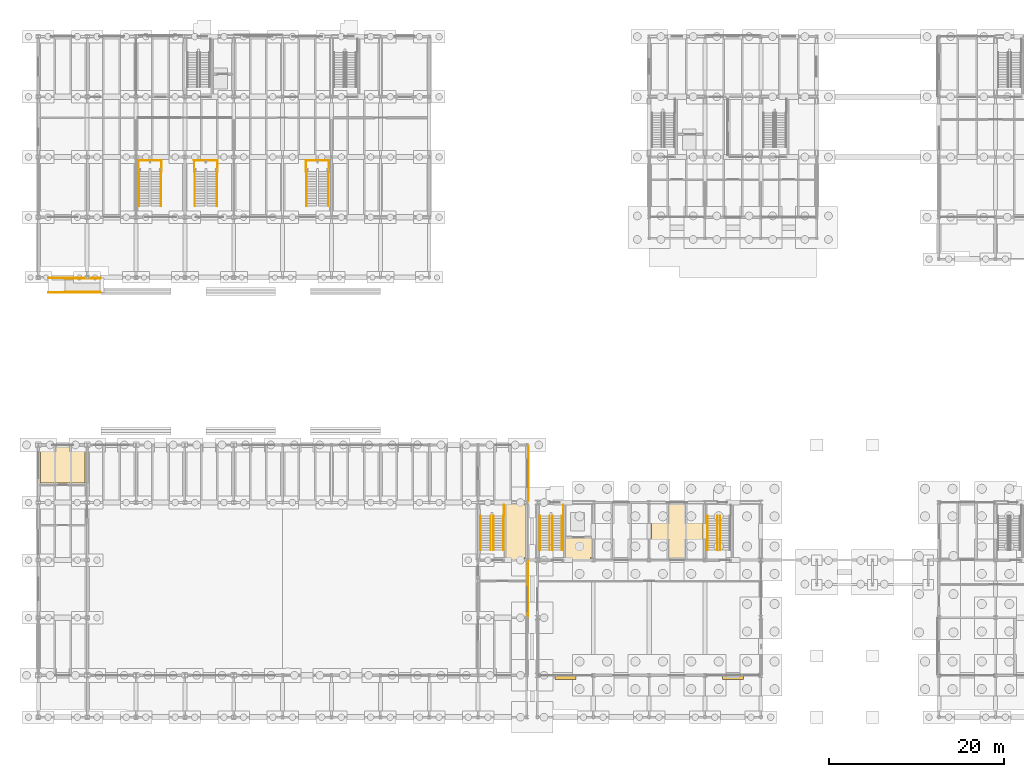
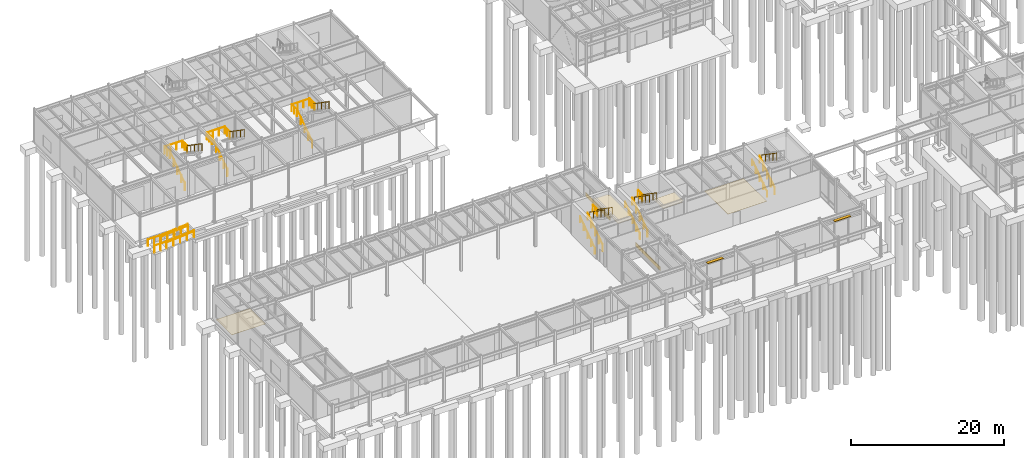
# One storey, part 78 of 82: 32 railings, 6 coverings, 2 shading devices.
"""IFC4 building model written with IfcOpenShell, lengths in metres."""

from ifc_helpers import new_model, si_unit, direction, frame, origin, origin_2d, place, context, subcontext, project, spatial, polyline, rectangle, circle, outline, extrude, material, layer, layer_set, type_object, element, save


model = new_model("IFC4")

# Units and contexts
model_context = context("Model", 3, precision=1e-05, world=origin(), true_north=direction((0.0, 1.0)))
body_context = subcontext(model_context, "Body", "Model", "MODEL_VIEW")
ifc_project = project(units=[si_unit("LENGTHUNIT", "METRE"), si_unit("AREAUNIT", "SQUARE_METRE"), si_unit("VOLUMEUNIT", "CUBIC_METRE"), si_unit("PLANEANGLEUNIT", "RADIAN"), si_unit("MASSUNIT", "GRAM", prefix="KILO")], contexts=[model_context])

# Site, building, storey
site_placement = place(None, origin())
site = spatial("IfcSite", under=ifc_project, at=site_placement, CompositionType="ELEMENT")
building_placement = place(site_placement, origin())
building = spatial("IfcBuilding", under=site, at=building_placement, Name="Trelmorton Wharf Fire Station", CompositionType="ELEMENT")
storey_placement = place(building_placement, origin())
storey = spatial("IfcBuildingStorey", under=building, at=storey_placement, Name="L00", CompositionType="ELEMENT", Elevation=0.0)

# Coverings
ifc_material_1 = material(Name="Mineral fibre acoustic ceiling")
ifc_layer_1 = layer(ifc_material_1, 0.02001953125)
ifc_layer_set_1 = layer_set([ifc_layer_1], Name="Mineral fibre acoustic ceiling")
covering_type_1 = type_object("IfcCoveringType", Name="CV_CEIL_ACOU", PredefinedType="CEILING", material=ifc_layer_set_1)
covering_1_placement = place(storey_placement, frame((0.0, 0.0, 4.47998046875)))
element("IfcCovering", 1, at=covering_1_placement, inside=storey, type_object=covering_type_1, Name="CV-CLG-001", PredefinedType="CEILING", context=body_context, shape_type="SweptSolid", body=[
    extrude(outline(polyline([(54.360107421875, 27.56005859375), (56.5, 27.56005859375), (56.5, 27.300048828125), (56.760009765625, 27.300048828125), (56.760009765625, 21.300048828125), (56.5, 21.300048828125), (56.5, 21.0400390625), (54.360107421875, 21.0400390625), (54.360107421875, 27.56005859375)])), origin(), (0.0, 0.0, 1.0), 0.02001953125),
])
covering_2_placement = place(storey_placement, frame((0.0, 0.0, 4.47998046875)))
element("IfcCovering", 2, at=covering_2_placement, inside=storey, type_object=covering_type_1, Name="CV-CLG-003", PredefinedType="CEILING", context=body_context, shape_type="SweptSolid", body=[
    extrude(outline(polyline([(61.159912109375, 21.0400390625), (61.159912109375, 23.56005859375), (64.360107421875, 23.56005859375), (64.360107421875, 21.300048828125), (64.10009765625, 21.300048828125), (64.10009765625, 21.0400390625), (61.159912109375, 21.0400390625)])), origin(), (0.0, 0.0, 1.0), 0.02001953125),
])
ifc_material_2 = material(Name="Architectural terracotta cladding", Category="masonry")
ifc_layer_2 = layer(ifc_material_2, 0.044921875)
ifc_layer_set_2 = layer_set([ifc_layer_2], Name="Architectural terracotta cladding")
covering_type_2 = type_object("IfcCoveringType", Name="CV_CLAD_TER", PredefinedType="CLADDING", material=ifc_layer_set_2)
for number, where, z_axis, x_axis, name in (
    (3, (56.93505859375, 17.699951171875, 0.0302734375), (0.0, 0.0, 1.0), (0.0, -1.0, 0.0), "CV-TER-0001"),
    (4, (56.965087890625, 30.89990234375, 0.0302734375), (0.0, 0.0, 1.0), (0.0, -1.0, 0.0), "CV-TER-0002"),
):
    element("IfcCovering", number, at=place(storey_placement, frame(where, z_axis=z_axis, x_axis=x_axis)), inside=storey, type_object=covering_type_2, Name=name, PredefinedType="CLADDING", context=body_context, shape_type="SweptSolid", body=[
        extrude(rectangle(XDim=6.469970703125, YDim=0.044921875, at=origin_2d()), origin(), (0.0, 0.0, 1.0), 0.659912109375),
    ])
ifc_material_3 = material(Name="Quarry tile wet-area flooring")
ifc_layer_3 = layer(ifc_material_3, 0.02001953125)
ifc_layer_set_3 = layer_set([ifc_layer_3], Name="Quarry tile wet-area flooring")
covering_type_3 = type_object("IfcCoveringType", Name="CV_FLOR_TILE", PredefinedType="FLOORING", material=ifc_layer_set_3)
covering_3_placement = place(storey_placement, origin())
element("IfcCovering", 5, at=covering_3_placement, inside=storey, type_object=covering_type_3, Name="CV-FLR-001", PredefinedType="FLOORING", context=body_context, shape_type="SweptSolid", body=[
    extrude(outline(polyline([(6.14990234375, 29.85009765625), (6.14990234375, 33.949951171875), (1.050048828125, 33.949951171875), (1.050048828125, 29.85009765625), (6.14990234375, 29.85009765625)])), origin(), (0.0, 0.0, 1.0), 0.02001953125),
])
covering_4_placement = place(storey_placement, origin())
element("IfcCovering", 6, at=covering_4_placement, inside=storey, type_object=covering_type_3, Name="CV-FLR-003", PredefinedType="FLOORING", context=body_context, shape_type="SweptSolid", body=[
    extrude(outline(polyline([(76.949951171875, 21.25), (76.949951171875, 27.35009765625), (71.050048828125, 27.35009765625), (71.050048828125, 21.25), (76.949951171875, 21.25)])), origin(), (0.0, 0.0, 1.0), 0.02001953125),
])

# Railings
ifc_material_4 = material(Name="Stainless steel 316 marine grade", Category="steel")
railing_type_1 = type_object("IfcRailingType", Name="RL_HAND_900", PredefinedType="HANDRAIL", material=ifc_material_4)
for number, where, name in (
    (7, (51.510009765625, 22.139892578125, 0.0), "RL-HR1-STR-C1-L00-01"),
    (8, (58.31005859375, 22.139892578125, 0.0), "RL-HR1-STR-C2-L00-02"),
    (9, (77.510009765625, 22.139892578125, 0.0), "RL-HR1-STR-C2B-L00-05"),
):
    element("IfcRailing", number, at=place(storey_placement, frame(where)), inside=storey, type_object=railing_type_1, Name=name, PredefinedType="HANDRAIL", context=body_context, shape_type="SweptSolid", body=[
        extrude(circle(Radius=0.02099609375, at=origin_2d()), frame((0.0, 0.0, 0.87890625), z_axis=(0.0, 0.823567234665, 0.567218661528), x_axis=(-1.0, 0.0, 0.0)), (0.0, 0.0, 1.0), 4.760009765625),
        extrude(circle(Radius=0.02099609375, at=origin_2d()), origin(), (0.0, 0.0, 1.0), 0.85791015625),
        extrude(circle(Radius=0.02099609375, at=origin_2d()), frame((0.0, 0.97998046875, 0.675048828125)), (0.0, 0.0, 1.0), 0.85791015625),
        extrude(circle(Radius=0.02099609375, at=origin_2d()), frame((0.0, 1.9599609375, 1.35009765625)), (0.0, 0.0, 1.0), 0.85791015625),
        extrude(circle(Radius=0.02099609375, at=origin_2d()), frame((0.0, 2.940185546875, 2.02490234375)), (0.0, 0.0, 1.0), 0.85791015625),
        extrude(circle(Radius=0.02099609375, at=origin_2d()), frame((0.0, 3.920166015625, 2.699951171875)), (0.0, 0.0, 1.0), 0.85791015625),
    ])
for number, where, name in (
    (10, (3.860107421875, 51.75, -0.344970703125), "RL-RMP-B-517"),
    (11, (3.860107421875, 53.25, -0.344970703125), "RL-RMP-B-532"),
):
    element("IfcRailing", number, at=place(storey_placement, frame(where)), inside=storey, type_object=railing_type_1, Name=name, PredefinedType="HANDRAIL", context=body_context, shape_type="SweptSolid", body=[
        extrude(circle(Radius=0.02099609375, at=origin_2d()), frame((0.0, 0.0, 0.87890625), z_axis=(0.996537977967, 0.0, 0.083138790397), x_axis=(0.0, 1.0, 0.0)), (0.0, 0.0, 1.0), 4.114013671875),
        extrude(circle(Radius=0.02099609375, at=origin_2d()), origin(), (0.0, 0.0, 1.0), 0.85791015625),
        extrude(circle(Radius=0.02099609375, at=origin_2d()), frame((1.02490234375, 0.0, 0.08544921875)), (0.0, 0.0, 1.0), 0.85791015625),
        extrude(circle(Radius=0.02099609375, at=origin_2d()), frame((2.0498046875, 0.0, 0.1708984375)), (0.0, 0.0, 1.0), 0.85791015625),
        extrude(circle(Radius=0.02099609375, at=origin_2d()), frame((3.074951171875, 0.0, 0.256591796875)), (0.0, 0.0, 1.0), 0.85791015625),
        extrude(circle(Radius=0.02099609375, at=origin_2d()), frame((4.099853515625, 0.0, 0.342041015625)), (0.0, 0.0, 1.0), 0.85791015625),
    ])
railing_type_2 = type_object("IfcRailingType", Name="RL_WELL_1100", PredefinedType="BALUSTRADE", material=ifc_material_4)
railing_1_placement = place(storey_placement, frame((54.155029296875, 27.3349609375, 2.699951171875)))
element("IfcRailing", 12, at=railing_1_placement, inside=storey, type_object=railing_type_2, Name="RL-GW-OUT1-STR-C1-L00-01", PredefinedType="BALUSTRADE", context=body_context, shape_type="SweptSolid", body=[
    extrude(circle(Radius=0.02392578125, at=origin_2d()), frame((0.0, 0.0, 1.09619140625), z_axis=(0.0, -1.0, 0.0), x_axis=(1.0, 0.0, 0.0)), (0.0, 0.0, 1.0), 1.23486328125),
    extrude(circle(Radius=0.02099609375, at=origin_2d()), origin(), (0.0, 0.0, 1.0), 1.072021484375),
    extrude(circle(Radius=0.02099609375, at=origin_2d()), frame((0.0, -0.617431640625, 0.0)), (0.0, 0.0, 1.0), 1.072021484375),
    extrude(circle(Radius=0.02099609375, at=origin_2d()), frame((0.0, -1.23486328125, 0.0)), (0.0, 0.0, 1.0), 1.072021484375),
])
railing_2_placement = place(storey_placement, frame((54.090087890625, 26.06005859375, 2.699951171875)))
element("IfcRailing", 13, at=railing_2_placement, inside=storey, type_object=railing_type_2, Name="RL-GW-OUT2-STR-C1-L00-01", PredefinedType="BALUSTRADE", context=body_context, shape_type="SweptSolid", body=[
    extrude(circle(Radius=0.02392578125, at=origin_2d()), frame((0.0, 0.0, 1.09619140625), z_axis=(0.0, -0.823567234665, 0.567218661528), x_axis=(1.0, 0.0, 0.0)), (0.0, 0.0, 1.0), 4.760009765625),
    extrude(circle(Radius=0.02099609375, at=origin_2d()), origin(), (0.0, 0.0, 1.0), 1.072021484375),
    extrude(circle(Radius=0.02099609375, at=origin_2d()), frame((0.0, -0.97998046875, 0.675048828125)), (0.0, 0.0, 1.0), 1.072021484375),
    extrude(circle(Radius=0.02099609375, at=origin_2d()), frame((0.0, -1.9599609375, 1.35009765625)), (0.0, 0.0, 1.0), 1.072021484375),
    extrude(circle(Radius=0.02099609375, at=origin_2d()), frame((0.0, -2.940185546875, 2.02490234375)), (0.0, 0.0, 1.0), 1.072021484375),
    extrude(circle(Radius=0.02099609375, at=origin_2d()), frame((0.0, -3.920166015625, 2.699951171875)), (0.0, 0.0, 1.0), 1.072021484375),
])
railing_3_placement = place(storey_placement, frame((52.64990234375, 22.139892578125, 0.0)))
element("IfcRailing", 14, at=railing_3_placement, inside=storey, type_object=railing_type_2, Name="RL-GW-IN1-STR-C1-L00-01", PredefinedType="BALUSTRADE", context=body_context, shape_type="SweptSolid", body=[
    extrude(circle(Radius=0.02392578125, at=origin_2d()), frame((0.0, 0.0, 1.09619140625), z_axis=(0.0, 0.823567234665, 0.567218661528), x_axis=(-1.0, 0.0, 0.0)), (0.0, 0.0, 1.0), 4.760009765625),
    extrude(circle(Radius=0.02099609375, at=origin_2d()), origin(), (0.0, 0.0, 1.0), 1.072021484375),
    extrude(circle(Radius=0.02099609375, at=origin_2d()), frame((0.0, 0.97998046875, 0.675048828125)), (0.0, 0.0, 1.0), 1.072021484375),
    extrude(circle(Radius=0.02099609375, at=origin_2d()), frame((0.0, 1.9599609375, 1.35009765625)), (0.0, 0.0, 1.0), 1.072021484375),
    extrude(circle(Radius=0.02099609375, at=origin_2d()), frame((0.0, 2.940185546875, 2.02490234375)), (0.0, 0.0, 1.0), 1.072021484375),
    extrude(circle(Radius=0.02099609375, at=origin_2d()), frame((0.0, 3.920166015625, 2.699951171875)), (0.0, 0.0, 1.0), 1.072021484375),
])
railing_4_placement = place(storey_placement, frame((52.949951171875, 26.06005859375, 2.699951171875)))
element("IfcRailing", 15, at=railing_4_placement, inside=storey, type_object=railing_type_2, Name="RL-GW-IN2-STR-C1-L00-01", PredefinedType="BALUSTRADE", context=body_context, shape_type="SweptSolid", body=[
    extrude(circle(Radius=0.02392578125, at=origin_2d()), frame((0.0, 0.0, 1.09619140625), z_axis=(0.0, -0.823567234665, 0.567218661528), x_axis=(1.0, 0.0, 0.0)), (0.0, 0.0, 1.0), 4.760009765625),
    extrude(circle(Radius=0.02099609375, at=origin_2d()), origin(), (0.0, 0.0, 1.0), 1.072021484375),
    extrude(circle(Radius=0.02099609375, at=origin_2d()), frame((0.0, -0.97998046875, 0.675048828125)), (0.0, 0.0, 1.0), 1.072021484375),
    extrude(circle(Radius=0.02099609375, at=origin_2d()), frame((0.0, -1.9599609375, 1.35009765625)), (0.0, 0.0, 1.0), 1.072021484375),
    extrude(circle(Radius=0.02099609375, at=origin_2d()), frame((0.0, -2.940185546875, 2.02490234375)), (0.0, 0.0, 1.0), 1.072021484375),
    extrude(circle(Radius=0.02099609375, at=origin_2d()), frame((0.0, -3.920166015625, 2.699951171875)), (0.0, 0.0, 1.0), 1.072021484375),
])
railing_5_placement = place(storey_placement, frame((60.955078125, 27.3349609375, 2.699951171875)))
element("IfcRailing", 16, at=railing_5_placement, inside=storey, type_object=railing_type_2, Name="RL-GW-OUT1-STR-C2-L00-02", PredefinedType="BALUSTRADE", context=body_context, shape_type="SweptSolid", body=[
    extrude(circle(Radius=0.02392578125, at=origin_2d()), frame((0.0, 0.0, 1.09619140625), z_axis=(0.0, -1.0, 0.0), x_axis=(1.0, 0.0, 0.0)), (0.0, 0.0, 1.0), 1.23486328125),
    extrude(circle(Radius=0.02099609375, at=origin_2d()), origin(), (0.0, 0.0, 1.0), 1.072021484375),
    extrude(circle(Radius=0.02099609375, at=origin_2d()), frame((0.0, -0.617431640625, 0.0)), (0.0, 0.0, 1.0), 1.072021484375),
    extrude(circle(Radius=0.02099609375, at=origin_2d()), frame((0.0, -1.23486328125, 0.0)), (0.0, 0.0, 1.0), 1.072021484375),
])
railing_6_placement = place(storey_placement, frame((60.81005859375, 26.06005859375, 2.699951171875)))
element("IfcRailing", 17, at=railing_6_placement, inside=storey, type_object=railing_type_2, Name="RL-GW-OUT2-STR-C2-L00-02", PredefinedType="BALUSTRADE", context=body_context, shape_type="SweptSolid", body=[
    extrude(circle(Radius=0.02392578125, at=origin_2d()), frame((0.0, 0.0, 1.09619140625), z_axis=(0.0, -0.823567234665, 0.567218661528), x_axis=(1.0, 0.0, 0.0)), (0.0, 0.0, 1.0), 4.760009765625),
    extrude(circle(Radius=0.02099609375, at=origin_2d()), origin(), (0.0, 0.0, 1.0), 1.072021484375),
    extrude(circle(Radius=0.02099609375, at=origin_2d()), frame((0.0, -0.97998046875, 0.675048828125)), (0.0, 0.0, 1.0), 1.072021484375),
    extrude(circle(Radius=0.02099609375, at=origin_2d()), frame((0.0, -1.9599609375, 1.35009765625)), (0.0, 0.0, 1.0), 1.072021484375),
    extrude(circle(Radius=0.02099609375, at=origin_2d()), frame((0.0, -2.940185546875, 2.02490234375)), (0.0, 0.0, 1.0), 1.072021484375),
    extrude(circle(Radius=0.02099609375, at=origin_2d()), frame((0.0, -3.920166015625, 2.699951171875)), (0.0, 0.0, 1.0), 1.072021484375),
])
railing_7_placement = place(storey_placement, frame((59.409912109375, 22.139892578125, 0.0)))
element("IfcRailing", 18, at=railing_7_placement, inside=storey, type_object=railing_type_2, Name="RL-GW-IN1-STR-C2-L00-02", PredefinedType="BALUSTRADE", context=body_context, shape_type="SweptSolid", body=[
    extrude(circle(Radius=0.02392578125, at=origin_2d()), frame((0.0, 0.0, 1.09619140625), z_axis=(0.0, 0.823567234665, 0.567218661528), x_axis=(-1.0, 0.0, 0.0)), (0.0, 0.0, 1.0), 4.760009765625),
    extrude(circle(Radius=0.02099609375, at=origin_2d()), origin(), (0.0, 0.0, 1.0), 1.072021484375),
    extrude(circle(Radius=0.02099609375, at=origin_2d()), frame((0.0, 0.97998046875, 0.675048828125)), (0.0, 0.0, 1.0), 1.072021484375),
    extrude(circle(Radius=0.02099609375, at=origin_2d()), frame((0.0, 1.9599609375, 1.35009765625)), (0.0, 0.0, 1.0), 1.072021484375),
    extrude(circle(Radius=0.02099609375, at=origin_2d()), frame((0.0, 2.940185546875, 2.02490234375)), (0.0, 0.0, 1.0), 1.072021484375),
    extrude(circle(Radius=0.02099609375, at=origin_2d()), frame((0.0, 3.920166015625, 2.699951171875)), (0.0, 0.0, 1.0), 1.072021484375),
])
railing_8_placement = place(storey_placement, frame((59.7099609375, 26.06005859375, 2.699951171875)))
element("IfcRailing", 19, at=railing_8_placement, inside=storey, type_object=railing_type_2, Name="RL-GW-IN2-STR-C2-L00-02", PredefinedType="BALUSTRADE", context=body_context, shape_type="SweptSolid", body=[
    extrude(circle(Radius=0.02392578125, at=origin_2d()), frame((0.0, 0.0, 1.09619140625), z_axis=(0.0, -0.823567234665, 0.567218661528), x_axis=(1.0, 0.0, 0.0)), (0.0, 0.0, 1.0), 4.760009765625),
    extrude(circle(Radius=0.02099609375, at=origin_2d()), origin(), (0.0, 0.0, 1.0), 1.072021484375),
    extrude(circle(Radius=0.02099609375, at=origin_2d()), frame((0.0, -0.97998046875, 0.675048828125)), (0.0, 0.0, 1.0), 1.072021484375),
    extrude(circle(Radius=0.02099609375, at=origin_2d()), frame((0.0, -1.9599609375, 1.35009765625)), (0.0, 0.0, 1.0), 1.072021484375),
    extrude(circle(Radius=0.02099609375, at=origin_2d()), frame((0.0, -2.940185546875, 2.02490234375)), (0.0, 0.0, 1.0), 1.072021484375),
    extrude(circle(Radius=0.02099609375, at=origin_2d()), frame((0.0, -3.920166015625, 2.699951171875)), (0.0, 0.0, 1.0), 1.072021484375),
])
railing_9_placement = place(storey_placement, frame((78.64990234375, 22.139892578125, 0.0)))
element("IfcRailing", 20, at=railing_9_placement, inside=storey, type_object=railing_type_2, Name="RL-GW-IN1-STR-C2B-L00-05", PredefinedType="BALUSTRADE", context=body_context, shape_type="SweptSolid", body=[
    extrude(circle(Radius=0.02392578125, at=origin_2d()), frame((0.0, 0.0, 1.09619140625), z_axis=(0.0, 0.823567234665, 0.567218661528), x_axis=(-1.0, 0.0, 0.0)), (0.0, 0.0, 1.0), 4.760009765625),
    extrude(circle(Radius=0.02099609375, at=origin_2d()), origin(), (0.0, 0.0, 1.0), 1.072021484375),
    extrude(circle(Radius=0.02099609375, at=origin_2d()), frame((0.0, 0.97998046875, 0.675048828125)), (0.0, 0.0, 1.0), 1.072021484375),
    extrude(circle(Radius=0.02099609375, at=origin_2d()), frame((0.0, 1.9599609375, 1.35009765625)), (0.0, 0.0, 1.0), 1.072021484375),
    extrude(circle(Radius=0.02099609375, at=origin_2d()), frame((0.0, 2.940185546875, 2.02490234375)), (0.0, 0.0, 1.0), 1.072021484375),
    extrude(circle(Radius=0.02099609375, at=origin_2d()), frame((0.0, 3.920166015625, 2.699951171875)), (0.0, 0.0, 1.0), 1.072021484375),
])
railing_10_placement = place(storey_placement, frame((78.949951171875, 26.06005859375, 2.699951171875)))
element("IfcRailing", 21, at=railing_10_placement, inside=storey, type_object=railing_type_2, Name="RL-GW-IN2-STR-C2B-L00-05", PredefinedType="BALUSTRADE", context=body_context, shape_type="SweptSolid", body=[
    extrude(circle(Radius=0.02392578125, at=origin_2d()), frame((0.0, 0.0, 1.09619140625), z_axis=(0.0, -0.823567234665, 0.567218661528), x_axis=(1.0, 0.0, 0.0)), (0.0, 0.0, 1.0), 4.760009765625),
    extrude(circle(Radius=0.02099609375, at=origin_2d()), origin(), (0.0, 0.0, 1.0), 1.072021484375),
    extrude(circle(Radius=0.02099609375, at=origin_2d()), frame((0.0, -0.97998046875, 0.675048828125)), (0.0, 0.0, 1.0), 1.072021484375),
    extrude(circle(Radius=0.02099609375, at=origin_2d()), frame((0.0, -1.9599609375, 1.35009765625)), (0.0, 0.0, 1.0), 1.072021484375),
    extrude(circle(Radius=0.02099609375, at=origin_2d()), frame((0.0, -2.940185546875, 2.02490234375)), (0.0, 0.0, 1.0), 1.072021484375),
    extrude(circle(Radius=0.02099609375, at=origin_2d()), frame((0.0, -3.920166015625, 2.699951171875)), (0.0, 0.0, 1.0), 1.072021484375),
])
railing_11_placement = place(storey_placement, frame((12.330078125, 61.60009765625, 0.0)))
element("IfcRailing", 22, at=railing_11_placement, inside=storey, type_object=railing_type_2, Name="RL-STS-01-F1", PredefinedType="BALUSTRADE", context=body_context, shape_type="SweptSolid", body=[
    extrude(circle(Radius=0.02392578125, at=origin_2d()), frame((0.0, 0.0, 1.09619140625), z_axis=(0.0, 0.823550731654, 0.567242622158), x_axis=(-1.0, 0.0, 0.0)), (0.0, 0.0, 1.0), 4.759765625),
    extrude(circle(Radius=0.02099609375, at=origin_2d()), origin(), (0.0, 0.0, 1.0), 1.072021484375),
    extrude(circle(Radius=0.02099609375, at=origin_2d()), frame((0.0, 0.97998046875, 0.675048828125)), (0.0, 0.0, 1.0), 1.072021484375),
    extrude(circle(Radius=0.02099609375, at=origin_2d()), frame((0.0, 1.9599609375, 1.35009765625)), (0.0, 0.0, 1.0), 1.072021484375),
    extrude(circle(Radius=0.02099609375, at=origin_2d()), frame((0.0, 2.93994140625, 2.02490234375)), (0.0, 0.0, 1.0), 1.072021484375),
    extrude(circle(Radius=0.02099609375, at=origin_2d()), frame((0.0, 3.919921875, 2.699951171875)), (0.0, 0.0, 1.0), 1.072021484375),
])
railing_12_placement = place(storey_placement, frame((14.8701171875, 65.52001953125, 2.699951171875)))
element("IfcRailing", 23, at=railing_12_placement, inside=storey, type_object=railing_type_2, Name="RL-STS-01-F2", PredefinedType="BALUSTRADE", context=body_context, shape_type="SweptSolid", body=[
    extrude(circle(Radius=0.02392578125, at=origin_2d()), frame((0.0, 0.0, 1.09619140625), z_axis=(0.0, -0.823550731654, 0.567242622158), x_axis=(1.0, 0.0, 0.0)), (0.0, 0.0, 1.0), 4.759765625),
    extrude(circle(Radius=0.02099609375, at=origin_2d()), origin(), (0.0, 0.0, 1.0), 1.072021484375),
    extrude(circle(Radius=0.02099609375, at=origin_2d()), frame((0.0, -0.97998046875, 0.675048828125)), (0.0, 0.0, 1.0), 1.072021484375),
    extrude(circle(Radius=0.02099609375, at=origin_2d()), frame((0.0, -1.9599609375, 1.35009765625)), (0.0, 0.0, 1.0), 1.072021484375),
    extrude(circle(Radius=0.02099609375, at=origin_2d()), frame((0.0, -2.93994140625, 2.02490234375)), (0.0, 0.0, 1.0), 1.072021484375),
    extrude(circle(Radius=0.02099609375, at=origin_2d()), frame((0.0, -3.919921875, 2.699951171875)), (0.0, 0.0, 1.0), 1.072021484375),
])
railing_13_placement = place(storey_placement, frame((12.260009765625, 66.800048828125, 2.699951171875)))
element("IfcRailing", 24, at=railing_13_placement, inside=storey, type_object=railing_type_2, Name="RL-STS-01-LB", PredefinedType="BALUSTRADE", context=body_context, shape_type="SweptSolid", body=[
    extrude(circle(Radius=0.02392578125, at=origin_2d()), frame((0.0, 0.0, 1.09619140625), z_axis=(1.0, 0.0, 0.0), x_axis=(0.0, 1.0, 0.0)), (0.0, 0.0, 1.0), 2.679931640625),
    extrude(circle(Radius=0.02099609375, at=origin_2d()), origin(), (0.0, 0.0, 1.0), 1.072021484375),
    extrude(circle(Radius=0.02099609375, at=origin_2d()), frame((0.893310546875, 0.0, 0.0)), (0.0, 0.0, 1.0), 1.072021484375),
    extrude(circle(Radius=0.02099609375, at=origin_2d()), frame((1.78662109375, 0.0, 0.0)), (0.0, 0.0, 1.0), 1.072021484375),
    extrude(circle(Radius=0.02099609375, at=origin_2d()), frame((2.679931640625, 0.0, 0.0)), (0.0, 0.0, 1.0), 1.072021484375),
])
for number, where, name in (
    (25, (12.27001953125, 65.52001953125, 2.699951171875), "RL-STS-01-LW"),
    (26, (14.929931640625, 65.52001953125, 2.699951171875), "RL-STS-01-LE"),
):
    element("IfcRailing", number, at=place(storey_placement, frame(where)), inside=storey, type_object=railing_type_2, Name=name, PredefinedType="BALUSTRADE", context=body_context, shape_type="SweptSolid", body=[
        extrude(circle(Radius=0.02392578125, at=origin_2d()), frame((0.0, 0.0, 1.09619140625), z_axis=(0.0, 1.0, 0.0), x_axis=(-1.0, 0.0, 0.0)), (0.0, 0.0, 1.0), 1.300048828125),
        extrude(circle(Radius=0.02099609375, at=origin_2d()), origin(), (0.0, 0.0, 1.0), 1.072021484375),
        extrude(circle(Radius=0.02099609375, at=origin_2d()), frame((0.0, 0.64990234375, 0.0)), (0.0, 0.0, 1.0), 1.072021484375),
        extrude(circle(Radius=0.02099609375, at=origin_2d()), frame((0.0, 1.300048828125, 0.0)), (0.0, 0.0, 1.0), 1.072021484375),
    ])
railing_14_placement = place(storey_placement, frame((18.72998046875, 61.60009765625, 0.0)))
element("IfcRailing", 27, at=railing_14_placement, inside=storey, type_object=railing_type_2, Name="RL-STS-02-F1", PredefinedType="BALUSTRADE", context=body_context, shape_type="SweptSolid", body=[
    extrude(circle(Radius=0.02392578125, at=origin_2d()), frame((0.0, 0.0, 1.09619140625), z_axis=(0.0, 0.823550731654, 0.567242622158), x_axis=(-1.0, 0.0, 0.0)), (0.0, 0.0, 1.0), 4.759765625),
    extrude(circle(Radius=0.02099609375, at=origin_2d()), origin(), (0.0, 0.0, 1.0), 1.072021484375),
    extrude(circle(Radius=0.02099609375, at=origin_2d()), frame((0.0, 0.97998046875, 0.675048828125)), (0.0, 0.0, 1.0), 1.072021484375),
    extrude(circle(Radius=0.02099609375, at=origin_2d()), frame((0.0, 1.9599609375, 1.35009765625)), (0.0, 0.0, 1.0), 1.072021484375),
    extrude(circle(Radius=0.02099609375, at=origin_2d()), frame((0.0, 2.93994140625, 2.02490234375)), (0.0, 0.0, 1.0), 1.072021484375),
    extrude(circle(Radius=0.02099609375, at=origin_2d()), frame((0.0, 3.919921875, 2.699951171875)), (0.0, 0.0, 1.0), 1.072021484375),
])
railing_15_placement = place(storey_placement, frame((21.27001953125, 65.52001953125, 2.699951171875)))
element("IfcRailing", 28, at=railing_15_placement, inside=storey, type_object=railing_type_2, Name="RL-STS-02-F2", PredefinedType="BALUSTRADE", context=body_context, shape_type="SweptSolid", body=[
    extrude(circle(Radius=0.02392578125, at=origin_2d()), frame((0.0, 0.0, 1.09619140625), z_axis=(0.0, -0.823550731654, 0.567242622158), x_axis=(1.0, 0.0, 0.0)), (0.0, 0.0, 1.0), 4.759765625),
    extrude(circle(Radius=0.02099609375, at=origin_2d()), origin(), (0.0, 0.0, 1.0), 1.072021484375),
    extrude(circle(Radius=0.02099609375, at=origin_2d()), frame((0.0, -0.97998046875, 0.675048828125)), (0.0, 0.0, 1.0), 1.072021484375),
    extrude(circle(Radius=0.02099609375, at=origin_2d()), frame((0.0, -1.9599609375, 1.35009765625)), (0.0, 0.0, 1.0), 1.072021484375),
    extrude(circle(Radius=0.02099609375, at=origin_2d()), frame((0.0, -2.93994140625, 2.02490234375)), (0.0, 0.0, 1.0), 1.072021484375),
    extrude(circle(Radius=0.02099609375, at=origin_2d()), frame((0.0, -3.919921875, 2.699951171875)), (0.0, 0.0, 1.0), 1.072021484375),
])
railing_16_placement = place(storey_placement, frame((18.659912109375, 66.800048828125, 2.699951171875)))
element("IfcRailing", 29, at=railing_16_placement, inside=storey, type_object=railing_type_2, Name="RL-STS-02-LB", PredefinedType="BALUSTRADE", context=body_context, shape_type="SweptSolid", body=[
    extrude(circle(Radius=0.02392578125, at=origin_2d()), frame((0.0, 0.0, 1.09619140625), z_axis=(1.0, 0.0, 0.0), x_axis=(0.0, 1.0, 0.0)), (0.0, 0.0, 1.0), 2.68017578125),
    extrude(circle(Radius=0.02099609375, at=origin_2d()), origin(), (0.0, 0.0, 1.0), 1.072021484375),
    extrude(circle(Radius=0.02099609375, at=origin_2d()), frame((0.893310546875, 0.0, 0.0)), (0.0, 0.0, 1.0), 1.072021484375),
    extrude(circle(Radius=0.02099609375, at=origin_2d()), frame((1.786865234375, 0.0, 0.0)), (0.0, 0.0, 1.0), 1.072021484375),
    extrude(circle(Radius=0.02099609375, at=origin_2d()), frame((2.68017578125, 0.0, 0.0)), (0.0, 0.0, 1.0), 1.072021484375),
])
for number, where, name in (
    (30, (18.669921875, 65.52001953125, 2.699951171875), "RL-STS-02-LW"),
    (31, (21.330078125, 65.52001953125, 2.699951171875), "RL-STS-02-LE"),
):
    element("IfcRailing", number, at=place(storey_placement, frame(where)), inside=storey, type_object=railing_type_2, Name=name, PredefinedType="BALUSTRADE", context=body_context, shape_type="SweptSolid", body=[
        extrude(circle(Radius=0.02392578125, at=origin_2d()), frame((0.0, 0.0, 1.09619140625), z_axis=(0.0, 1.0, 0.0), x_axis=(-1.0, 0.0, 0.0)), (0.0, 0.0, 1.0), 1.300048828125),
        extrude(circle(Radius=0.02099609375, at=origin_2d()), origin(), (0.0, 0.0, 1.0), 1.072021484375),
        extrude(circle(Radius=0.02099609375, at=origin_2d()), frame((0.0, 0.64990234375, 0.0)), (0.0, 0.0, 1.0), 1.072021484375),
        extrude(circle(Radius=0.02099609375, at=origin_2d()), frame((0.0, 1.300048828125, 0.0)), (0.0, 0.0, 1.0), 1.072021484375),
    ])
railing_17_placement = place(storey_placement, frame((31.530029296875, 61.60009765625, 0.0)))
element("IfcRailing", 32, at=railing_17_placement, inside=storey, type_object=railing_type_2, Name="RL-STS-03-F1", PredefinedType="BALUSTRADE", context=body_context, shape_type="SweptSolid", body=[
    extrude(circle(Radius=0.02392578125, at=origin_2d()), frame((0.0, 0.0, 1.09619140625), z_axis=(0.0, 0.823550731654, 0.567242622158), x_axis=(-1.0, 0.0, 0.0)), (0.0, 0.0, 1.0), 4.759765625),
    extrude(circle(Radius=0.02099609375, at=origin_2d()), origin(), (0.0, 0.0, 1.0), 1.072021484375),
    extrude(circle(Radius=0.02099609375, at=origin_2d()), frame((0.0, 0.97998046875, 0.675048828125)), (0.0, 0.0, 1.0), 1.072021484375),
    extrude(circle(Radius=0.02099609375, at=origin_2d()), frame((0.0, 1.9599609375, 1.35009765625)), (0.0, 0.0, 1.0), 1.072021484375),
    extrude(circle(Radius=0.02099609375, at=origin_2d()), frame((0.0, 2.93994140625, 2.02490234375)), (0.0, 0.0, 1.0), 1.072021484375),
    extrude(circle(Radius=0.02099609375, at=origin_2d()), frame((0.0, 3.919921875, 2.699951171875)), (0.0, 0.0, 1.0), 1.072021484375),
])
railing_18_placement = place(storey_placement, frame((34.070068359375, 65.52001953125, 2.699951171875)))
element("IfcRailing", 33, at=railing_18_placement, inside=storey, type_object=railing_type_2, Name="RL-STS-03-F2", PredefinedType="BALUSTRADE", context=body_context, shape_type="SweptSolid", body=[
    extrude(circle(Radius=0.02392578125, at=origin_2d()), frame((0.0, 0.0, 1.09619140625), z_axis=(0.0, -0.823550731654, 0.567242622158), x_axis=(1.0, 0.0, 0.0)), (0.0, 0.0, 1.0), 4.759765625),
    extrude(circle(Radius=0.02099609375, at=origin_2d()), origin(), (0.0, 0.0, 1.0), 1.072021484375),
    extrude(circle(Radius=0.02099609375, at=origin_2d()), frame((0.0, -0.97998046875, 0.675048828125)), (0.0, 0.0, 1.0), 1.072021484375),
    extrude(circle(Radius=0.02099609375, at=origin_2d()), frame((0.0, -1.9599609375, 1.35009765625)), (0.0, 0.0, 1.0), 1.072021484375),
    extrude(circle(Radius=0.02099609375, at=origin_2d()), frame((0.0, -2.93994140625, 2.02490234375)), (0.0, 0.0, 1.0), 1.072021484375),
    extrude(circle(Radius=0.02099609375, at=origin_2d()), frame((0.0, -3.919921875, 2.699951171875)), (0.0, 0.0, 1.0), 1.072021484375),
])
railing_19_placement = place(storey_placement, frame((31.4599609375, 66.800048828125, 2.699951171875)))
element("IfcRailing", 34, at=railing_19_placement, inside=storey, type_object=railing_type_2, Name="RL-STS-03-LB", PredefinedType="BALUSTRADE", context=body_context, shape_type="SweptSolid", body=[
    extrude(circle(Radius=0.02392578125, at=origin_2d()), frame((0.0, 0.0, 1.09619140625), z_axis=(1.0, 0.0, 0.0), x_axis=(0.0, 1.0, 0.0)), (0.0, 0.0, 1.0), 2.679931640625),
    extrude(circle(Radius=0.02099609375, at=origin_2d()), origin(), (0.0, 0.0, 1.0), 1.072021484375),
    extrude(circle(Radius=0.02099609375, at=origin_2d()), frame((0.893310546875, 0.0, 0.0)), (0.0, 0.0, 1.0), 1.072021484375),
    extrude(circle(Radius=0.02099609375, at=origin_2d()), frame((1.78662109375, 0.0, 0.0)), (0.0, 0.0, 1.0), 1.072021484375),
    extrude(circle(Radius=0.02099609375, at=origin_2d()), frame((2.679931640625, 0.0, 0.0)), (0.0, 0.0, 1.0), 1.072021484375),
])
for number, where, name in (
    (35, (31.469970703125, 65.52001953125, 2.699951171875), "RL-STS-03-LW"),
    (36, (34.1298828125, 65.52001953125, 2.699951171875), "RL-STS-03-LE"),
):
    element("IfcRailing", number, at=place(storey_placement, frame(where)), inside=storey, type_object=railing_type_2, Name=name, PredefinedType="BALUSTRADE", context=body_context, shape_type="SweptSolid", body=[
        extrude(circle(Radius=0.02392578125, at=origin_2d()), frame((0.0, 0.0, 1.09619140625), z_axis=(0.0, 1.0, 0.0), x_axis=(-1.0, 0.0, 0.0)), (0.0, 0.0, 1.0), 1.300048828125),
        extrude(circle(Radius=0.02099609375, at=origin_2d()), origin(), (0.0, 0.0, 1.0), 1.072021484375),
        extrude(circle(Radius=0.02099609375, at=origin_2d()), frame((0.0, 0.64990234375, 0.0)), (0.0, 0.0, 1.0), 1.072021484375),
        extrude(circle(Radius=0.02099609375, at=origin_2d()), frame((0.0, 1.300048828125, 0.0)), (0.0, 0.0, 1.0), 1.072021484375),
    ])
for number, where, name in (
    (37, (1.9599609375, 51.679931640625, -0.35009765625), "RL-RMP-G-516"),
    (38, (1.9599609375, 53.320068359375, -0.35009765625), "RL-RMP-G-533"),
):
    element("IfcRailing", number, at=place(storey_placement, frame(where)), inside=storey, type_object=railing_type_2, Name=name, PredefinedType="BALUSTRADE", context=body_context, shape_type="SweptSolid", body=[
        extrude(circle(Radius=0.02392578125, at=origin_2d()), frame((0.0, 0.0, 1.09619140625), z_axis=(1.0, 0.0, 0.0), x_axis=(0.0, 1.0, 0.0)), (0.0, 0.0, 1.0), 1.840087890625),
        extrude(circle(Radius=0.02392578125, at=origin_2d()), frame((1.840087890625, 0.0, 1.09619140625), z_axis=(0.996477260622, 0.0, 0.083863395254), x_axis=(0.0, 1.0, 0.0)), (0.0, 0.0, 1.0), 4.174560546875),
        extrude(circle(Radius=0.02099609375, at=origin_2d()), origin(), (0.0, 0.0, 1.0), 1.072021484375),
        extrude(circle(Radius=0.02099609375, at=origin_2d()), frame((0.919921875, 0.0, 0.0)), (0.0, 0.0, 1.0), 1.072021484375),
        extrude(circle(Radius=0.02099609375, at=origin_2d()), frame((1.840087890625, 0.0, 0.0)), (0.0, 0.0, 1.0), 1.072021484375),
        extrude(circle(Radius=0.02099609375, at=origin_2d()), frame((2.880126953125, 0.0, 0.08740234375)), (0.0, 0.0, 1.0), 1.072021484375),
        extrude(circle(Radius=0.02099609375, at=origin_2d()), frame((3.919921875, 0.0, 0.175048828125)), (0.0, 0.0, 1.0), 1.072021484375),
        extrude(circle(Radius=0.02099609375, at=origin_2d()), frame((4.9599609375, 0.0, 0.2626953125)), (0.0, 0.0, 1.0), 1.072021484375),
        extrude(circle(Radius=0.02099609375, at=origin_2d()), frame((6.0, 0.0, 0.35009765625)), (0.0, 0.0, 1.0), 1.072021484375),
    ])

# Shading devices
ifc_material_5 = material(Name="Anodised aluminium AW-6063", Category="aluminium")
ifc_layer_4 = layer(ifc_material_5, 0.080078125)
ifc_layer_set_4 = layer_set([ifc_layer_4], Name="Anodised aluminium AW-6063")
shading_device_type = type_object("IfcShadingDeviceType", Name="SH_LOUVRE_A", PredefinedType="AWNING", material=ifc_layer_set_4)
for number, where, z_axis, x_axis, name in (
    (39, (61.199951171875, 7.570068359375, 4.35986328125), (0.0, 0.0, 1.0), (-1.0, 0.0, 0.0), "SH-LV-019"),
    (40, (80.39990234375, 7.570068359375, 4.35986328125), (0.0, 0.0, 1.0), (-1.0, 0.0, 0.0), "SH-LV-020"),
):
    element("IfcShadingDevice", number, at=place(storey_placement, frame(where, z_axis=z_axis, x_axis=x_axis)), inside=storey, type_object=shading_device_type, Name=name, PredefinedType="AWNING", context=body_context, shape_type="SweptSolid", body=[
        extrude(rectangle(XDim=2.39990234375, YDim=0.449951171875, at=origin_2d()), origin(), (0.0, 0.0, 1.0), 0.080078125),
    ])

save(model, "model.ifc")
